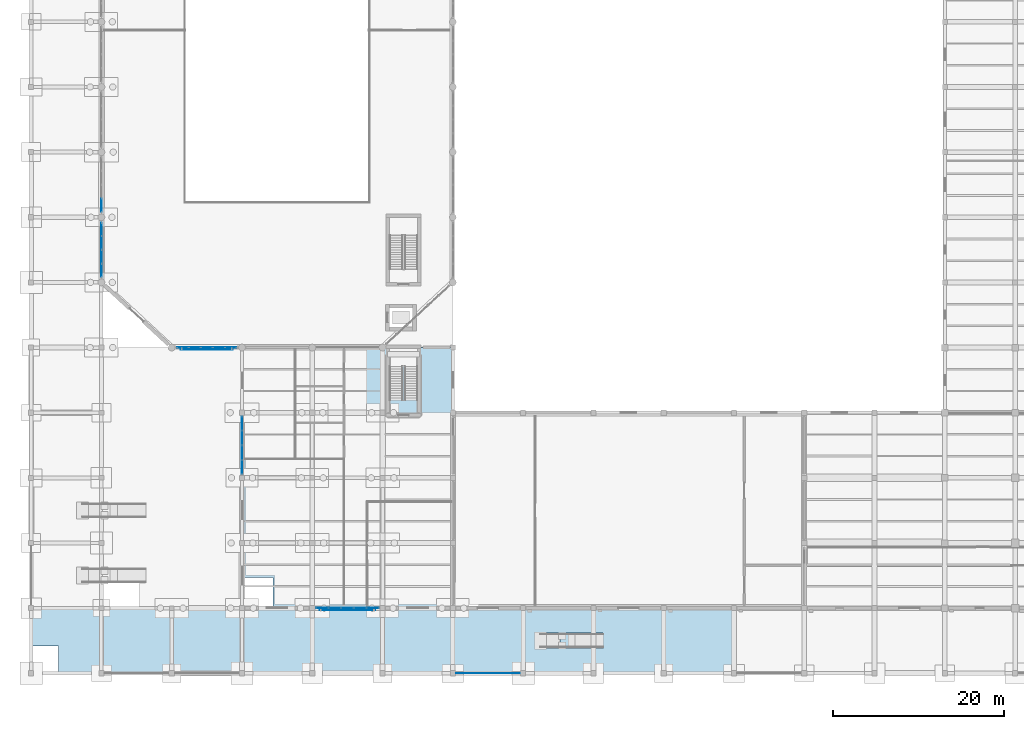
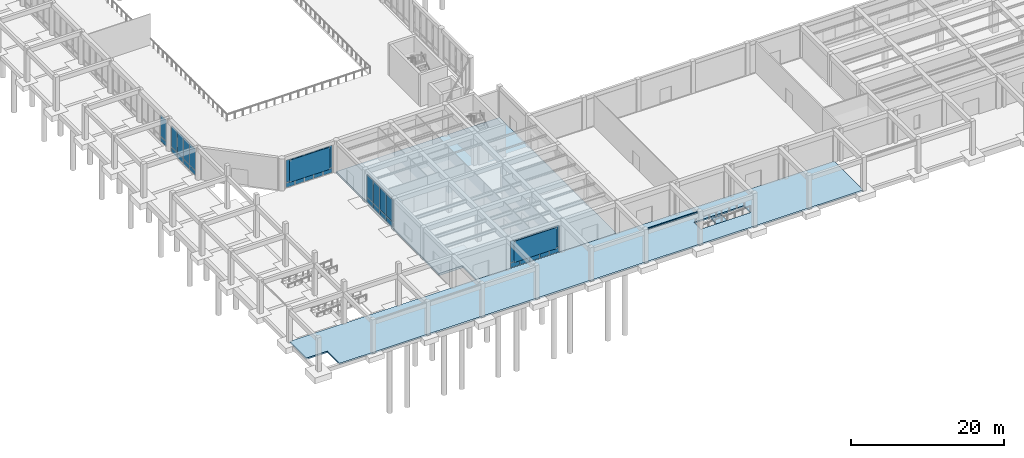
# One storey, part 34 of 64: 41 plates, 3 slabs, 6 elements without a shape of their own.
"""IFC4 building model written with IfcOpenShell, lengths in metres."""

import ifcopenshell
import ifcopenshell.guid

model = None  # the IFC model being written
_history = None  # IfcOwnerHistory: only IFC2X3 demands one
_inside = {}  # id of a spatial element -> (the spatial element, [elements in it])
_under = {}  # id of a project, library or spatial element -> (it, [spatial elements below it])
_declared = {}  # id of a project -> (the project, [libraries it declares])
_typed = {}  # id of a type object -> (the type object, [elements of that type])
_made_of = {}  # id of a material, layer set ... -> (it, [elements and type objects made of it])


def new_model(schema):
    """Start an empty IFC model of exactly this schema.

    Asked for "IFC4X3", IfcOpenShell would pick the latest addendum, in which some entities
    have other attributes; the version numbers below select the first issue.
    IFC2X3 requires an IfcOwnerHistory on every rooted entity: one is made here for all.
    """
    global model, _history
    if schema == "IFC4X3":
        model = ifcopenshell.file(schema_version=(4, 3, 0, 0))
    else:
        model = ifcopenshell.file(schema=schema)
    _inside.clear()
    _under.clear()
    _declared.clear()
    _typed.clear()
    _made_of.clear()
    _history = None
    if model.schema == "IFC2X3":
        org = make("IfcOrganization", Name="unknown")
        user = make(
            "IfcPersonAndOrganization",
            ThePerson=make("IfcPerson", FamilyName="unknown"),
            TheOrganization=org,
        )
        app = make(
            "IfcApplication",
            ApplicationDeveloper=org,
            Version="unknown",
            ApplicationFullName="unknown",
            ApplicationIdentifier="unknown",
        )
        _history = make(
            "IfcOwnerHistory",
            OwningUser=user,
            OwningApplication=app,
            ChangeAction="ADDED",
            CreationDate=0,
        )
    return model


def make(cls, **values):
    """One entity of the class cls with the attributes given. An attribute that is None is left unset."""
    return model.create_entity(
        cls, **{name: value for name, value in values.items() if value is not None}
    )


def rooted(cls, **values):
    """An entity with a GlobalId (a new one), such as an element, a storey or a relation."""
    return make(cls, GlobalId=ifcopenshell.guid.new(), OwnerHistory=_history, **values)


def si_unit(unit_type, name, prefix=None):
    """IfcSIUnit, for example si_unit("LENGTHUNIT", "METRE", prefix="MILLI")."""
    return make("IfcSIUnit", UnitType=unit_type, Prefix=prefix, Name=name)


def assignment(units):
    """IfcUnitAssignment: the units of a project."""
    return None if units is None else make("IfcUnitAssignment", Units=units)


def point(xyz):
    """IfcCartesianPoint."""
    return None if xyz is None else make("IfcCartesianPoint", Coordinates=xyz)


def direction(xyz):
    """IfcDirection."""
    return None if xyz is None else make("IfcDirection", DirectionRatios=xyz)


def frame(location, z_axis=None, x_axis=None):
    """IfcAxis2Placement3D, a coordinate frame: its origin and axes. An axis left out is left unset."""
    return make(
        "IfcAxis2Placement3D",
        Location=point(location),
        Axis=direction(z_axis),
        RefDirection=direction(x_axis),
    )


def frame_2d(location, x_axis=None):
    """IfcAxis2Placement2D, a coordinate frame in the plane: its origin and x axis."""
    return make(
        "IfcAxis2Placement2D", Location=point(location), RefDirection=direction(x_axis)
    )


def origin():
    """The frame at (0, 0, 0) with its axes left unset."""
    return frame((0.0, 0.0, 0.0))


def origin_2d():
    """The frame at (0, 0) in the plane with its x axis left unset."""
    return frame_2d((0.0, 0.0))


def place(relative_to, where):
    """IfcLocalPlacement: puts the frame where relative to a parent placement (None: the world)."""
    return make(
        "IfcLocalPlacement", PlacementRelTo=relative_to, RelativePlacement=where
    )


def context(
    kind, dimensions, precision=None, world=None, true_north=None, identifier=None
):
    """IfcGeometricRepresentationContext, for example the 3D "Model" context."""
    return make(
        "IfcGeometricRepresentationContext",
        ContextIdentifier=identifier,
        ContextType=kind,
        CoordinateSpaceDimension=dimensions,
        Precision=precision,
        WorldCoordinateSystem=world,
        TrueNorth=true_north,
    )


def subcontext(parent, identifier, kind, view, scale=None):
    """IfcGeometricRepresentationSubContext, for example "Body" below "Model"."""
    return make(
        "IfcGeometricRepresentationSubContext",
        ContextIdentifier=identifier,
        ContextType=kind,
        ParentContext=parent,
        TargetScale=scale,
        TargetView=view,
    )


def project(units=None, contexts=None):
    """IfcProject with its units and contexts."""
    return rooted(
        "IfcProject",
        Name="project",
        RepresentationContexts=contexts,
        UnitsInContext=assignment(units),
    )


def spatial(cls, under=None, at=None, **own):
    """A site, building, storey or space (cls), placed at a placement, below another one or the project."""
    s = rooted(cls, ObjectPlacement=at, **own)
    if under is not None:
        _under.setdefault(under.id(), (under, []))[1].append(s)
    return s


def polyline(points):
    """IfcPolyline through the points."""
    return make("IfcPolyline", Points=[point(p) for p in points])


def profile(cls, at=None, kind="AREA", **sizes):
    """A parametric profile (cls). Its sizes go by their IFC names, for example OverallWidth=200.0."""
    return make(cls, ProfileType=kind, Position=at, **sizes)


def rectangle(**sizes):
    """IfcRectangleProfileDef."""
    return profile("IfcRectangleProfileDef", **sizes)


def outline(outer, holes=None, kind="AREA"):
    """IfcArbitraryClosedProfileDef: a profile drawn as a closed curve; with holes, ...WithVoids."""
    if holes is None:
        return make("IfcArbitraryClosedProfileDef", ProfileType=kind, OuterCurve=outer)
    return make(
        "IfcArbitraryProfileDefWithVoids",
        ProfileType=kind,
        OuterCurve=outer,
        InnerCurves=holes,
    )


def extrude(swept, where, along, depth):
    """IfcExtrudedAreaSolid: the profile swept, set in the frame where, extruded along a direction by depth."""
    return make(
        "IfcExtrudedAreaSolid",
        SweptArea=swept,
        Position=where,
        ExtrudedDirection=direction(along),
        Depth=depth,
    )


def shape(context_of_items, identifier, shape_type, items):
    """IfcShapeRepresentation: the items that make up one representation, for example the "Body"."""
    return make(
        "IfcShapeRepresentation",
        ContextOfItems=context_of_items,
        RepresentationIdentifier=identifier,
        RepresentationType=shape_type,
        Items=items,
    )


def material(Name=None, Category=None):
    """IfcMaterial."""
    return make("IfcMaterial", Name=Name, Category=Category)


def layer(
    of_material, thickness, ventilated=None, Name=None, Category=None, Priority=None
):
    """IfcMaterialLayer: one layer of a wall or slab, of a material (None: an air gap)."""
    return make(
        "IfcMaterialLayer",
        Material=of_material,
        LayerThickness=thickness,
        IsVentilated=ventilated,
        Name=Name,
        Category=Category,
        Priority=Priority,
    )


def layer_set(layers, Name=None):
    """IfcMaterialLayerSet."""
    return make("IfcMaterialLayerSet", MaterialLayers=layers, LayerSetName=Name)


def made_of(thing, what):
    """Note that an element or type object is made of a material, layer set ...; save() writes the relation."""
    if what is not None:
        _made_of.setdefault(what.id(), (what, []))[1].append(thing)
    return thing


def type_object(cls, material=None, **own):
    """A type object (cls), such as IfcWallType, which elements share."""
    return made_of(rooted(cls, **own), material)


def element(
    cls,
    number,
    at=None,
    inside=None,
    cuts=None,
    type_object=None,
    material=None,
    context=None,
    identifier="Body",
    shape_type=None,
    held_by="IfcProductDefinitionShape",
    body=None,
    shapes=None,
    **own,
):
    """One element of the class cls, such as IfcWall. Its Tag is "e" and its number.

    at: its placement. inside: the storey or other place that contains it. cuts: it is an
    opening in that element (IfcRelVoidsElement). A single representation is given by context,
    identifier, shape_type and body (its items); several are given by shapes. held_by: the class
    of the entity that holds the representations. save() writes the other relations.
    """
    e = rooted(cls, Tag="e%d" % number, ObjectPlacement=at, **own)
    if body is not None:
        shapes = [shape(context, identifier, shape_type, body)]
    if shapes is not None:
        e.Representation = make(held_by, Representations=shapes)
    if inside is not None:
        _inside.setdefault(inside.id(), (inside, []))[1].append(e)
    if cuts is not None:
        rooted(
            "IfcRelVoidsElement", RelatingBuildingElement=cuts, RelatedOpeningElement=e
        )
    if type_object is not None:
        _typed.setdefault(type_object.id(), (type_object, []))[1].append(e)
    return made_of(e, material)


def aggregate(whole, parts):
    """IfcRelAggregates: a whole, such as a stair, and the parts it consists of."""
    return rooted("IfcRelAggregates", RelatingObject=whole, RelatedObjects=parts)


def save(model, path):
    """Write the relations noted so far, then the file.

    IfcRelAggregates (storeys below a building ...), IfcRelContainedInSpatialStructure (elements
    in a storey), IfcRelDefinesByType, IfcRelAssociatesMaterial and IfcRelDeclares: one each for
    every whole, place, type object, material and project.
    """
    for whole, parts in _under.values():
        aggregate(whole, parts)
    for where, things in _inside.values():
        rooted(
            "IfcRelContainedInSpatialStructure",
            RelatedElements=things,
            RelatingStructure=where,
        )
    for kind, things in _typed.values():
        rooted("IfcRelDefinesByType", RelatedObjects=things, RelatingType=kind)
    for what, things in _made_of.values():
        rooted("IfcRelAssociatesMaterial", RelatedObjects=things, RelatingMaterial=what)
    for by, libraries in _declared.values():
        rooted("IfcRelDeclares", RelatingContext=by, RelatedDefinitions=libraries)
    model.write(path)


model = new_model("IFC4")

# Units and contexts
model_context = context("Model", 3, precision=1e-05, world=origin(), true_north=direction((0.0, 1.0)))
body_context = subcontext(model_context, "Body", "Model", "MODEL_VIEW")
ifc_project = project(units=[si_unit("LENGTHUNIT", "METRE"), si_unit("AREAUNIT", "SQUARE_METRE"), si_unit("VOLUMEUNIT", "CUBIC_METRE"), si_unit("PLANEANGLEUNIT", "RADIAN"), si_unit("MASSUNIT", "GRAM", prefix="KILO")], contexts=[model_context])

# Site, building, storey
site_placement = place(None, origin())
site = spatial("IfcSite", under=ifc_project, at=site_placement, CompositionType="ELEMENT")
building_placement = place(site_placement, origin())
building = spatial("IfcBuilding", under=site, at=building_placement, Name="Qandaris Square Conservatory and Botanical Centre", CompositionType="ELEMENT")
storey_placement = place(building_placement, origin())
storey = spatial("IfcBuildingStorey", under=building, at=storey_placement, Name="L00", CompositionType="ELEMENT", Elevation=0.0)

# Ramp, slab
ifc_material_1 = material(Name="Concrete C40/50", Category="concrete")
ramp_type = type_object("IfcRampType", Name="Accessible Forecourt Stone Ramp", PredefinedType="TWO_STRAIGHT_RUN_RAMP", material=ifc_material_1)
ramp_placement = place(storey_placement, origin())
ramp = element("IfcRamp", 1, at=ramp_placement, inside=storey, type_object=ramp_type, Name="Accessible Entrance Ramp RMP-03", PredefinedType="TWO_STRAIGHT_RUN_RAMP")
ifc_layer_1 = layer(ifc_material_1, 0.219970703125)
ifc_layer_set_1 = layer_set([ifc_layer_1], Name="Concrete C40/50")
slab_type_1 = type_object("IfcSlabType", Name="Accessible Ramp Landing Slab 220mm", PredefinedType="LANDING", material=ifc_layer_set_1)
slab_1_placement = place(storey_placement, frame((0.0, 0.0, -0.409912109375)))
slab_1 = element("IfcSlab", 2, at=slab_1_placement, type_object=slab_type_1, Name="RMP-03 Mid Landing", PredefinedType="LANDING", context=body_context, shape_type="SweptSolid", body=[
    extrude(outline(polyline([(69.699951171875, 12.050048828125), (71.300048828125, 12.050048828125), (71.300048828125, 13.550048828125), (69.699951171875, 13.550048828125), (69.699951171875, 12.050048828125)])), origin(), (0.0, 0.0, 1.0), 0.219970703125),
])
aggregate(ramp, [slab_1])

# Curtain wall, plates
ifc_material_2 = material(Name="Anodised Aluminium", Category="aluminium")
curtain_wall_type_1 = type_object("IfcCurtainWallType", Name="Unitised Curtain Wall CW-1-704x450", PredefinedType="USERDEFINED", material=ifc_material_2)
curtain_wall_1_placement = place(storey_placement, origin())
curtain_wall_1 = element("IfcCurtainWall", 3, at=curtain_wall_1_placement, inside=storey, type_object=curtain_wall_type_1, Name="Curtain Wall CW-CON-L00-0W", ObjectType="GLAZED CURTAIN WALL", PredefinedType="USERDEFINED")
ifc_material_3 = material(Name="Tempered Low-E Glass", Category="glass")
ifc_layer_2 = layer(ifc_material_3, 0.0400390625)
ifc_layer_set_2 = layer_set([ifc_layer_2], Name="Tempered Low-E Glass")
plate_type_1 = type_object("IfcPlateType", Name="Conservatory Laminated Low-Iron Biome Glass 40mm", PredefinedType="CURTAIN_PANEL", material=ifc_layer_set_2)
plate_1_placement = place(storey_placement, frame((25.70263671875, 47.0, 0.0751953125), z_axis=(0.0, 0.0, 1.0), x_axis=(1.0, 0.0, 0.0)))
plate_1 = element("IfcPlate", 4, at=plate_1_placement, type_object=plate_type_1, Name="CW-1-704x450 panel 1.1", PredefinedType="CURTAIN_PANEL", context=body_context, shape_type="SweptSolid", body=[
    extrude(rectangle(XDim=1.29541015625, YDim=0.0400390625, at=origin_2d()), origin(), (0.0, 0.0, 1.0), 0.737548828125),
])
plate_2_placement = place(storey_placement, frame((25.70263671875, 47.0, 0.887451171875), z_axis=(0.0, 0.0, 1.0), x_axis=(1.0, 0.0, 0.0)))
plate_2 = element("IfcPlate", 5, at=plate_2_placement, type_object=plate_type_1, Name="CW-1-704x450 panel 1.2", PredefinedType="CURTAIN_PANEL", context=body_context, shape_type="SweptSolid", body=[
    extrude(rectangle(XDim=1.29541015625, YDim=0.0400390625, at=origin_2d()), origin(), (0.0, 0.0, 1.0), 3.53759765625),
])
plate_3_placement = place(storey_placement, frame((27.092041015625, 47.0, 0.0751953125), z_axis=(0.0, 0.0, 1.0), x_axis=(1.0, 0.0, 0.0)))
plate_3 = element("IfcPlate", 6, at=plate_3_placement, type_object=plate_type_1, Name="CW-1-704x450 panel 2.1", PredefinedType="CURTAIN_PANEL", context=body_context, shape_type="SweptSolid", body=[
    extrude(rectangle(XDim=1.3330078125, YDim=0.0400390625, at=origin_2d()), origin(), (0.0, 0.0, 1.0), 0.737548828125),
])
plate_4_placement = place(storey_placement, frame((27.092041015625, 47.0, 0.887451171875), z_axis=(0.0, 0.0, 1.0), x_axis=(1.0, 0.0, 0.0)))
plate_4 = element("IfcPlate", 7, at=plate_4_placement, type_object=plate_type_1, Name="CW-1-704x450 panel 2.2", PredefinedType="CURTAIN_PANEL", context=body_context, shape_type="SweptSolid", body=[
    extrude(rectangle(XDim=1.3330078125, YDim=0.0400390625, at=origin_2d()), origin(), (0.0, 0.0, 1.0), 3.53759765625),
])
plate_5_placement = place(storey_placement, frame((28.5, 47.0, 0.0751953125), z_axis=(0.0, 0.0, 1.0), x_axis=(1.0, 0.0, 0.0)))
plate_5 = element("IfcPlate", 8, at=plate_5_placement, type_object=plate_type_1, Name="CW-1-704x450 panel 3.1", PredefinedType="CURTAIN_PANEL", context=body_context, shape_type="SweptSolid", body=[
    extrude(rectangle(XDim=1.3330078125, YDim=0.0400390625, at=origin_2d()), origin(), (0.0, 0.0, 1.0), 0.737548828125),
])
plate_6_placement = place(storey_placement, frame((28.5, 47.0, 0.887451171875), z_axis=(0.0, 0.0, 1.0), x_axis=(1.0, 0.0, 0.0)))
plate_6 = element("IfcPlate", 9, at=plate_6_placement, type_object=plate_type_1, Name="CW-1-704x450 panel 3.2", PredefinedType="CURTAIN_PANEL", context=body_context, shape_type="SweptSolid", body=[
    extrude(rectangle(XDim=1.3330078125, YDim=0.0400390625, at=origin_2d()), origin(), (0.0, 0.0, 1.0), 3.53759765625),
])
plate_7_placement = place(storey_placement, frame((29.907958984375, 47.0, 0.0751953125), z_axis=(0.0, 0.0, 1.0), x_axis=(1.0, 0.0, 0.0)))
plate_7 = element("IfcPlate", 10, at=plate_7_placement, type_object=plate_type_1, Name="CW-1-704x450 panel 4.1", PredefinedType="CURTAIN_PANEL", context=body_context, shape_type="SweptSolid", body=[
    extrude(rectangle(XDim=1.3330078125, YDim=0.0400390625, at=origin_2d()), origin(), (0.0, 0.0, 1.0), 0.737548828125),
])
plate_8_placement = place(storey_placement, frame((29.907958984375, 47.0, 0.887451171875), z_axis=(0.0, 0.0, 1.0), x_axis=(1.0, 0.0, 0.0)))
plate_8 = element("IfcPlate", 11, at=plate_8_placement, type_object=plate_type_1, Name="CW-1-704x450 panel 4.2", PredefinedType="CURTAIN_PANEL", context=body_context, shape_type="SweptSolid", body=[
    extrude(rectangle(XDim=1.3330078125, YDim=0.0400390625, at=origin_2d()), origin(), (0.0, 0.0, 1.0), 3.53759765625),
])
plate_9_placement = place(storey_placement, frame((31.29736328125, 47.0, 0.0751953125), z_axis=(0.0, 0.0, 1.0), x_axis=(1.0, 0.0, 0.0)))
plate_9 = element("IfcPlate", 12, at=plate_9_placement, type_object=plate_type_1, Name="CW-1-704x450 panel 5.1", PredefinedType="CURTAIN_PANEL", context=body_context, shape_type="SweptSolid", body=[
    extrude(rectangle(XDim=1.29541015625, YDim=0.0400390625, at=origin_2d()), origin(), (0.0, 0.0, 1.0), 0.737548828125),
])
plate_10_placement = place(storey_placement, frame((31.29736328125, 47.0, 0.887451171875), z_axis=(0.0, 0.0, 1.0), x_axis=(1.0, 0.0, 0.0)))
plate_10 = element("IfcPlate", 13, at=plate_10_placement, type_object=plate_type_1, Name="CW-1-704x450 panel 5.2", PredefinedType="CURTAIN_PANEL", context=body_context, shape_type="SweptSolid", body=[
    extrude(rectangle(XDim=1.29541015625, YDim=0.0400390625, at=origin_2d()), origin(), (0.0, 0.0, 1.0), 3.53759765625),
])
aggregate(curtain_wall_1, [plate_1, plate_2, plate_3, plate_4, plate_5, plate_6, plate_7, plate_8, plate_9, plate_10])

curtain_wall_type_2 = type_object("IfcCurtainWallType", Name="Unitised Curtain Wall CW-1-644x435", PredefinedType="USERDEFINED", material=ifc_material_2)
curtain_wall_2_placement = place(storey_placement, origin())
curtain_wall_2 = element("IfcCurtainWall", 14, at=curtain_wall_2_placement, inside=storey, type_object=curtain_wall_type_2, Name="Curtain Wall CW-CON-L00-7-6", ObjectType="GLAZED CURTAIN WALL", PredefinedType="USERDEFINED")
plate_11_placement = place(storey_placement, frame((16.199951171875, 63.603759765625, 0.0751953125), z_axis=(0.0, 0.0, 1.0), x_axis=(0.0, -1.0, 0.0)))
plate_11 = element("IfcPlate", 15, at=plate_11_placement, type_object=plate_type_1, Name="CW-1-644x435 panel 4.1", PredefinedType="CURTAIN_PANEL", context=body_context, shape_type="SweptSolid", body=[
    extrude(rectangle(XDim=1.49755859375, YDim=0.0400390625, at=origin_2d()), origin(), (0.0, 0.0, 1.0), 0.737548828125),
])
plate_12_placement = place(storey_placement, frame((16.199951171875, 63.603759765625, 0.8876953125), z_axis=(0.0, 0.0, 1.0), x_axis=(0.0, -1.0, 0.0)))
plate_12 = element("IfcPlate", 16, at=plate_12_placement, type_object=plate_type_1, Name="CW-1-644x435 panel 4.2", PredefinedType="CURTAIN_PANEL", context=body_context, shape_type="SweptSolid", body=[
    extrude(rectangle(XDim=1.49755859375, YDim=0.0400390625, at=origin_2d()), origin(), (0.0, 0.0, 1.0), 3.387451171875),
])
aggregate(curtain_wall_2, [plate_11, plate_12])

curtain_wall_3_placement = place(storey_placement, origin())
curtain_wall_3 = element("IfcCurtainWall", 17, at=curtain_wall_3_placement, inside=storey, type_object=curtain_wall_type_2, Name="Curtain Wall CW-CON-L00-7-7", ObjectType="GLAZED CURTAIN WALL", PredefinedType="USERDEFINED")
plate_13_placement = place(storey_placement, frame((16.199951171875, 60.796142578125, 0.0751953125), z_axis=(0.0, 0.0, 1.0), x_axis=(0.0, -1.0, 0.0)))
plate_13 = element("IfcPlate", 18, at=plate_13_placement, type_object=plate_type_1, Name="CW-1-644x435 panel 1.1", PredefinedType="CURTAIN_PANEL", context=body_context, shape_type="SweptSolid", body=[
    extrude(rectangle(XDim=1.49755859375, YDim=0.0400390625, at=origin_2d()), origin(), (0.0, 0.0, 1.0), 0.737548828125),
])
plate_14_placement = place(storey_placement, frame((16.199951171875, 60.796142578125, 0.8876953125), z_axis=(0.0, 0.0, 1.0), x_axis=(0.0, -1.0, 0.0)))
plate_14 = element("IfcPlate", 19, at=plate_14_placement, type_object=plate_type_1, Name="CW-1-644x435 panel 1.2", PredefinedType="CURTAIN_PANEL", context=body_context, shape_type="SweptSolid", body=[
    extrude(rectangle(XDim=1.49755859375, YDim=0.0400390625, at=origin_2d()), origin(), (0.0, 0.0, 1.0), 3.387451171875),
])
plate_15_placement = place(storey_placement, frame((16.199951171875, 59.205078125, 0.0751953125), z_axis=(0.0, 0.0, 1.0), x_axis=(0.0, -1.0, 0.0)))
plate_15 = element("IfcPlate", 20, at=plate_15_placement, type_object=plate_type_1, Name="CW-1-644x435 panel 2.1", PredefinedType="CURTAIN_PANEL", context=body_context, shape_type="SweptSolid", body=[
    extrude(rectangle(XDim=1.534912109375, YDim=0.0400390625, at=origin_2d()), origin(), (0.0, 0.0, 1.0), 0.737548828125),
])
plate_16_placement = place(storey_placement, frame((16.199951171875, 59.205078125, 0.8876953125), z_axis=(0.0, 0.0, 1.0), x_axis=(0.0, -1.0, 0.0)))
plate_16 = element("IfcPlate", 21, at=plate_16_placement, type_object=plate_type_1, Name="CW-1-644x435 panel 2.2", PredefinedType="CURTAIN_PANEL", context=body_context, shape_type="SweptSolid", body=[
    extrude(rectangle(XDim=1.534912109375, YDim=0.0400390625, at=origin_2d()), origin(), (0.0, 0.0, 1.0), 3.387451171875),
])
plate_17_placement = place(storey_placement, frame((16.199951171875, 57.594970703125, 0.0751953125), z_axis=(0.0, 0.0, 1.0), x_axis=(0.0, -1.0, 0.0)))
plate_17 = element("IfcPlate", 22, at=plate_17_placement, type_object=plate_type_1, Name="CW-1-644x435 panel 3.1", PredefinedType="CURTAIN_PANEL", context=body_context, shape_type="SweptSolid", body=[
    extrude(rectangle(XDim=1.534912109375, YDim=0.0400390625, at=origin_2d()), origin(), (0.0, 0.0, 1.0), 0.737548828125),
])
plate_18_placement = place(storey_placement, frame((16.199951171875, 57.594970703125, 0.8876953125), z_axis=(0.0, 0.0, 1.0), x_axis=(0.0, -1.0, 0.0)))
plate_18 = element("IfcPlate", 23, at=plate_18_placement, type_object=plate_type_1, Name="CW-1-644x435 panel 3.2", PredefinedType="CURTAIN_PANEL", context=body_context, shape_type="SweptSolid", body=[
    extrude(rectangle(XDim=1.534912109375, YDim=0.0400390625, at=origin_2d()), origin(), (0.0, 0.0, 1.0), 3.387451171875),
])
plate_19_placement = place(storey_placement, frame((16.199951171875, 56.003662109375, 0.0751953125), z_axis=(0.0, 0.0, 1.0), x_axis=(0.0, -1.0, 0.0)))
plate_19 = element("IfcPlate", 24, at=plate_19_placement, type_object=plate_type_1, Name="CW-1-644x435 panel 4.1", PredefinedType="CURTAIN_PANEL", context=body_context, shape_type="SweptSolid", body=[
    extrude(rectangle(XDim=1.49755859375, YDim=0.0400390625, at=origin_2d()), origin(), (0.0, 0.0, 1.0), 0.737548828125),
])
plate_20_placement = place(storey_placement, frame((16.199951171875, 56.003662109375, 0.8876953125), z_axis=(0.0, 0.0, 1.0), x_axis=(0.0, -1.0, 0.0)))
plate_20 = element("IfcPlate", 25, at=plate_20_placement, type_object=plate_type_1, Name="CW-1-644x435 panel 4.2", PredefinedType="CURTAIN_PANEL", context=body_context, shape_type="SweptSolid", body=[
    extrude(rectangle(XDim=1.49755859375, YDim=0.0400390625, at=origin_2d()), origin(), (0.0, 0.0, 1.0), 3.387451171875),
])
aggregate(curtain_wall_3, [plate_13, plate_14, plate_15, plate_16, plate_17, plate_18, plate_19, plate_20])

curtain_wall_type_3 = type_object("IfcCurtainWallType", Name="Unitised Curtain Wall CW-5-740x435", PredefinedType="USERDEFINED", material=ifc_material_2)
curtain_wall_4_placement = place(storey_placement, origin())
curtain_wall_4 = element("IfcCurtainWall", 26, at=curtain_wall_4_placement, inside=storey, type_object=curtain_wall_type_3, Name="Curtain Wall CW-V3A-L00-1-2", ObjectType="GLAZED CURTAIN WALL", PredefinedType="USERDEFINED")
ifc_layer_3 = layer(ifc_material_3, 0.035888671875)
ifc_layer_set_3 = layer_set([ifc_layer_3], Name="Tempered Low-E Glass")
plate_type_2 = type_object("IfcPlateType", Name="Double-Glazed Solar Control Vision Unit 36mm", PredefinedType="CURTAIN_PANEL", material=ifc_layer_set_3)
plate_21_placement = place(storey_placement, frame((41.956298828125, 16.60009765625, 0.06494140625), z_axis=(0.0, 0.0, 1.0), x_axis=(1.0, 0.0, 0.0)))
plate_21 = element("IfcPlate", 27, at=plate_21_placement, type_object=plate_type_2, Name="CW-5-740x435 panel 1.1", PredefinedType="CURTAIN_PANEL", context=body_context, shape_type="SweptSolid", body=[
    extrude(rectangle(XDim=1.382568359375, YDim=0.035888671875, at=origin_2d()), origin(), (0.0, 0.0, 1.0), 0.75244140625),
])
plate_22_placement = place(storey_placement, frame((41.956298828125, 16.60009765625, 0.88232421875), z_axis=(0.0, 0.0, 1.0), x_axis=(1.0, 0.0, 0.0)))
plate_22 = element("IfcPlate", 28, at=plate_22_placement, type_object=plate_type_2, Name="CW-5-740x435 panel 1.2", PredefinedType="CURTAIN_PANEL", context=body_context, shape_type="SweptSolid", body=[
    extrude(rectangle(XDim=1.382568359375, YDim=0.035888671875, at=origin_2d()), origin(), (0.0, 0.0, 1.0), 3.402587890625),
])
plate_23_placement = place(storey_placement, frame((43.419921875, 16.60009765625, 0.06494140625), z_axis=(0.0, 0.0, 1.0), x_axis=(1.0, 0.0, 0.0)))
plate_23 = element("IfcPlate", 29, at=plate_23_placement, type_object=plate_type_2, Name="CW-5-740x435 panel 2.1", PredefinedType="CURTAIN_PANEL", context=body_context, shape_type="SweptSolid", body=[
    extrude(rectangle(XDim=1.4150390625, YDim=0.035888671875, at=origin_2d()), origin(), (0.0, 0.0, 1.0), 0.75244140625),
])
plate_24_placement = place(storey_placement, frame((43.419921875, 16.60009765625, 0.88232421875), z_axis=(0.0, 0.0, 1.0), x_axis=(1.0, 0.0, 0.0)))
plate_24 = element("IfcPlate", 30, at=plate_24_placement, type_object=plate_type_2, Name="CW-5-740x435 panel 2.2", PredefinedType="CURTAIN_PANEL", context=body_context, shape_type="SweptSolid", body=[
    extrude(rectangle(XDim=1.4150390625, YDim=0.035888671875, at=origin_2d()), origin(), (0.0, 0.0, 1.0), 3.402587890625),
])
plate_25_placement = place(storey_placement, frame((44.89990234375, 16.60009765625, 0.06494140625), z_axis=(0.0, 0.0, 1.0), x_axis=(1.0, 0.0, 0.0)))
plate_25 = element("IfcPlate", 31, at=plate_25_placement, type_object=plate_type_2, Name="CW-5-740x435 panel 3.1", PredefinedType="CURTAIN_PANEL", context=body_context, shape_type="SweptSolid", body=[
    extrude(rectangle(XDim=1.4150390625, YDim=0.035888671875, at=origin_2d()), origin(), (0.0, 0.0, 1.0), 0.75244140625),
])
plate_26_placement = place(storey_placement, frame((44.89990234375, 16.60009765625, 0.88232421875), z_axis=(0.0, 0.0, 1.0), x_axis=(1.0, 0.0, 0.0)))
plate_26 = element("IfcPlate", 32, at=plate_26_placement, type_object=plate_type_2, Name="CW-5-740x435 panel 3.2", PredefinedType="CURTAIN_PANEL", context=body_context, shape_type="SweptSolid", body=[
    extrude(rectangle(XDim=1.4150390625, YDim=0.035888671875, at=origin_2d()), origin(), (0.0, 0.0, 1.0), 3.402587890625),
])
plate_27_placement = place(storey_placement, frame((46.3798828125, 16.60009765625, 0.06494140625), z_axis=(0.0, 0.0, 1.0), x_axis=(1.0, 0.0, 0.0)))
plate_27 = element("IfcPlate", 33, at=plate_27_placement, type_object=plate_type_2, Name="CW-5-740x435 panel 4.1", PredefinedType="CURTAIN_PANEL", context=body_context, shape_type="SweptSolid", body=[
    extrude(rectangle(XDim=1.4150390625, YDim=0.035888671875, at=origin_2d()), origin(), (0.0, 0.0, 1.0), 0.75244140625),
])
plate_28_placement = place(storey_placement, frame((46.3798828125, 16.60009765625, 0.88232421875), z_axis=(0.0, 0.0, 1.0), x_axis=(1.0, 0.0, 0.0)))
plate_28 = element("IfcPlate", 34, at=plate_28_placement, type_object=plate_type_2, Name="CW-5-740x435 panel 4.2", PredefinedType="CURTAIN_PANEL", context=body_context, shape_type="SweptSolid", body=[
    extrude(rectangle(XDim=1.4150390625, YDim=0.035888671875, at=origin_2d()), origin(), (0.0, 0.0, 1.0), 3.402587890625),
])
plate_29_placement = place(storey_placement, frame((47.84375, 16.60009765625, 0.06494140625), z_axis=(0.0, 0.0, 1.0), x_axis=(1.0, 0.0, 0.0)))
plate_29 = element("IfcPlate", 35, at=plate_29_placement, type_object=plate_type_2, Name="CW-5-740x435 panel 5.1", PredefinedType="CURTAIN_PANEL", context=body_context, shape_type="SweptSolid", body=[
    extrude(rectangle(XDim=1.382568359375, YDim=0.035888671875, at=origin_2d()), origin(), (0.0, 0.0, 1.0), 0.75244140625),
])
plate_30_placement = place(storey_placement, frame((47.84375, 16.60009765625, 0.88232421875), z_axis=(0.0, 0.0, 1.0), x_axis=(1.0, 0.0, 0.0)))
plate_30 = element("IfcPlate", 36, at=plate_30_placement, type_object=plate_type_2, Name="CW-5-740x435 panel 5.2", PredefinedType="CURTAIN_PANEL", context=body_context, shape_type="SweptSolid", body=[
    extrude(rectangle(XDim=1.382568359375, YDim=0.035888671875, at=origin_2d()), origin(), (0.0, 0.0, 1.0), 3.402587890625),
])
aggregate(curtain_wall_4, [plate_21, plate_22, plate_23, plate_24, plate_25, plate_26, plate_27, plate_28, plate_29, plate_30])

curtain_wall_type_4 = type_object("IfcCurtainWallType", Name="Unitised Curtain Wall CW-5-680x450", PredefinedType="USERDEFINED", material=ifc_material_2)
curtain_wall_5_placement = place(storey_placement, origin())
curtain_wall_5 = element("IfcCurtainWall", 37, at=curtain_wall_5_placement, inside=storey, type_object=curtain_wall_type_4, Name="Curtain Wall CW-V3A-L00-4-2", ObjectType="GLAZED CURTAIN WALL", PredefinedType="USERDEFINED")
plate_31_placement = place(storey_placement, frame((32.60009765625, 38.1337890625, 0.06494140625), z_axis=(0.0, 0.0, 1.0), x_axis=(0.0, -1.0, 0.0)))
plate_31 = element("IfcPlate", 38, at=plate_31_placement, type_object=plate_type_2, Name="CW-5-680x450 panel 1.1", PredefinedType="CURTAIN_PANEL", context=body_context, shape_type="SweptSolid", body=[
    extrude(rectangle(XDim=1.6025390625, YDim=0.035888671875, at=origin_2d()), origin(), (0.0, 0.0, 1.0), 0.75244140625),
])
plate_32_placement = place(storey_placement, frame((32.60009765625, 38.1337890625, 0.88232421875), z_axis=(0.0, 0.0, 1.0), x_axis=(0.0, -1.0, 0.0)))
plate_32 = element("IfcPlate", 39, at=plate_32_placement, type_object=plate_type_2, Name="CW-5-680x450 panel 1.2", PredefinedType="CURTAIN_PANEL", context=body_context, shape_type="SweptSolid", body=[
    extrude(rectangle(XDim=1.6025390625, YDim=0.035888671875, at=origin_2d()), origin(), (0.0, 0.0, 1.0), 3.552490234375),
])
plate_33_placement = place(storey_placement, frame((32.60009765625, 36.449951171875, 0.06494140625), z_axis=(0.0, 0.0, 1.0), x_axis=(0.0, -1.0, 0.0)))
plate_33 = element("IfcPlate", 40, at=plate_33_placement, type_object=plate_type_2, Name="CW-5-680x450 panel 2.1", PredefinedType="CURTAIN_PANEL", context=body_context, shape_type="SweptSolid", body=[
    extrude(rectangle(XDim=1.635009765625, YDim=0.035888671875, at=origin_2d()), origin(), (0.0, 0.0, 1.0), 0.75244140625),
])
plate_34_placement = place(storey_placement, frame((32.60009765625, 36.449951171875, 0.88232421875), z_axis=(0.0, 0.0, 1.0), x_axis=(0.0, -1.0, 0.0)))
plate_34 = element("IfcPlate", 41, at=plate_34_placement, type_object=plate_type_2, Name="CW-5-680x450 panel 2.2", PredefinedType="CURTAIN_PANEL", context=body_context, shape_type="SweptSolid", body=[
    extrude(rectangle(XDim=1.635009765625, YDim=0.035888671875, at=origin_2d()), origin(), (0.0, 0.0, 1.0), 3.552490234375),
])
plate_35_placement = place(storey_placement, frame((32.60009765625, 34.75, 0.06494140625), z_axis=(0.0, 0.0, 1.0), x_axis=(0.0, -1.0, 0.0)))
plate_35 = element("IfcPlate", 42, at=plate_35_placement, type_object=plate_type_2, Name="CW-5-680x450 panel 3.1", PredefinedType="CURTAIN_PANEL", context=body_context, shape_type="SweptSolid", body=[
    extrude(rectangle(XDim=1.635009765625, YDim=0.035888671875, at=origin_2d()), origin(), (0.0, 0.0, 1.0), 0.75244140625),
])
plate_36_placement = place(storey_placement, frame((32.60009765625, 34.75, 0.88232421875), z_axis=(0.0, 0.0, 1.0), x_axis=(0.0, -1.0, 0.0)))
plate_36 = element("IfcPlate", 43, at=plate_36_placement, type_object=plate_type_2, Name="CW-5-680x450 panel 3.2", PredefinedType="CURTAIN_PANEL", context=body_context, shape_type="SweptSolid", body=[
    extrude(rectangle(XDim=1.635009765625, YDim=0.035888671875, at=origin_2d()), origin(), (0.0, 0.0, 1.0), 3.552490234375),
])
plate_37_placement = place(storey_placement, frame((32.60009765625, 33.066162109375, 0.06494140625), z_axis=(0.0, 0.0, 1.0), x_axis=(0.0, -1.0, 0.0)))
plate_37 = element("IfcPlate", 44, at=plate_37_placement, type_object=plate_type_2, Name="CW-5-680x450 panel 4.1", PredefinedType="CURTAIN_PANEL", context=body_context, shape_type="SweptSolid", body=[
    extrude(rectangle(XDim=1.6025390625, YDim=0.035888671875, at=origin_2d()), origin(), (0.0, 0.0, 1.0), 0.75244140625),
])
plate_38_placement = place(storey_placement, frame((32.60009765625, 33.066162109375, 0.88232421875), z_axis=(0.0, 0.0, 1.0), x_axis=(0.0, -1.0, 0.0)))
plate_38 = element("IfcPlate", 45, at=plate_38_placement, type_object=plate_type_2, Name="CW-5-680x450 panel 4.2", PredefinedType="CURTAIN_PANEL", context=body_context, shape_type="SweptSolid", body=[
    extrude(rectangle(XDim=1.6025390625, YDim=0.035888671875, at=origin_2d()), origin(), (0.0, 0.0, 1.0), 3.552490234375),
])
aggregate(curtain_wall_5, [plate_31, plate_32, plate_33, plate_34, plate_35, plate_36, plate_37, plate_38])

# Plates
ifc_material_4 = material(Name="Weathering Bronze Alloy", Category="metal")
ifc_layer_4 = layer(ifc_material_4, 0.044921875)
ifc_layer_set_4 = layer_set([ifc_layer_4], Name="Weathering Bronze Alloy")
plate_type_3 = type_object("IfcPlateType", Name="Perforated Bronze Mashrabiya Solar Screen Panel", PredefinedType="USERDEFINED", material=ifc_layer_set_4)
plate_39_placement = place(storey_placement, frame((28.5, 46.780029296875, 0.8798828125), z_axis=(0.0, 0.0, 1.0), x_axis=(1.0, 0.0, 0.0)))
element("IfcPlate", 46, at=plate_39_placement, inside=storey, type_object=plate_type_3, Name="Mashrabiya Solar Screen CW-CON-L00-0W", ObjectType="SOLAR SCREEN", PredefinedType="USERDEFINED", context=body_context, shape_type="SweptSolid", body=[
    extrude(rectangle(XDim=6.080078125, YDim=0.044921875, at=origin_2d()), origin(), (0.0, 0.0, 1.0), 3.530029296875),
])
plate_40_placement = place(storey_placement, frame((44.89990234375, 16.3798828125, 0.880126953125), z_axis=(0.0, 0.0, 1.0), x_axis=(1.0, 0.0, 0.0)))
element("IfcPlate", 47, at=plate_40_placement, inside=storey, type_object=plate_type_3, Name="Mashrabiya Solar Screen CW-V3A-L00-1-2", ObjectType="SOLAR SCREEN", PredefinedType="USERDEFINED", context=body_context, shape_type="SweptSolid", body=[
    extrude(rectangle(XDim=6.43994140625, YDim=0.044921875, at=origin_2d()), origin(), (0.0, 0.0, 1.0), 3.3798828125),
])
ifc_layer_5 = layer(ifc_material_2, 0.030029296875)
ifc_layer_set_5 = layer_set([ifc_layer_5], Name="Anodised Aluminium")
plate_type_4 = type_object("IfcPlateType", Name="Prairie Entrance Canopy Soffit Fascia Plate", PredefinedType="SHEET", material=ifc_layer_set_5)
plate_41_placement = place(storey_placement, frame((61.300048828125, 9.0, 5.0498046875), z_axis=(0.0, 0.0, 1.0), x_axis=(1.0, 0.0, 0.0)))
element("IfcPlate", 48, at=plate_41_placement, inside=storey, type_object=plate_type_4, Name="Canopy Fascia CNP-S3", PredefinedType="SHEET", context=body_context, shape_type="SweptSolid", body=[
    extrude(rectangle(XDim=7.39990234375, YDim=0.030029296875, at=origin_2d()), origin(), (0.0, 0.0, 1.0), 0.239990234375),
])

# Slabs
ifc_layer_6 = layer(ifc_material_1, 0.235107421875)
ifc_layer_set_6 = layer_set([ifc_layer_6], Name="Concrete C40/50")
slab_type_2 = type_object("IfcSlabType", Name="RC Exterior Terrace Slab 235mm", PredefinedType="FLOOR", material=ifc_layer_set_6)
slab_2_placement = place(storey_placement, frame((0.0, 0.0, -0.235107421875)))
element("IfcSlab", 49, at=slab_2_placement, inside=storey, type_object=slab_type_2, Name="Colonnade Plaza Deck COL-SW", PredefinedType="FLOOR", context=body_context, shape_type="SweptSolid", body=[
    extrude(outline(polyline([(8.0, 16.60009765625), (90.0, 16.60009765625), (90.0, 9.0), (11.199951171875, 9.0), (11.199951171875, 12.199951171875), (8.0, 12.199951171875), (8.0, 16.60009765625)]), holes=[polyline([(74.699951171875, 11.89990234375), (74.699951171875, 13.699951171875), (67.199951171875, 13.699951171875), (67.199951171875, 11.89990234375), (74.699951171875, 11.89990234375)])]), origin(), (0.0, 0.0, 1.0), 0.235107421875),
])
ifc_layer_7 = layer(ifc_material_1, 0.340087890625)
ifc_layer_set_7 = layer_set([ifc_layer_7], Name="Concrete C40/50")
slab_type_3 = type_object("IfcSlabType", Name="RC Structural Slab 340mm", PredefinedType="FLOOR", material=ifc_layer_set_7)
slab_3_placement = place(storey_placement, frame((0.0, 0.0, -0.340087890625)))
element("IfcSlab", 50, at=slab_3_placement, inside=storey, type_object=slab_type_3, Name="L00 Structural Slab V3AL00", PredefinedType="FLOOR", context=body_context, shape_type="SweptSolid", body=[
    extrude(outline(polyline([(57.199951171875, 47.0), (57.199951171875, 16.60009765625), (36.199951171875, 16.60009765625), (36.199951171875, 20.199951171875), (32.60009765625, 20.199951171875), (32.60009765625, 47.0), (57.199951171875, 47.0)])), origin(), (0.0, 0.0, 1.0), 0.340087890625),
])

save(model, "model.ifc")
